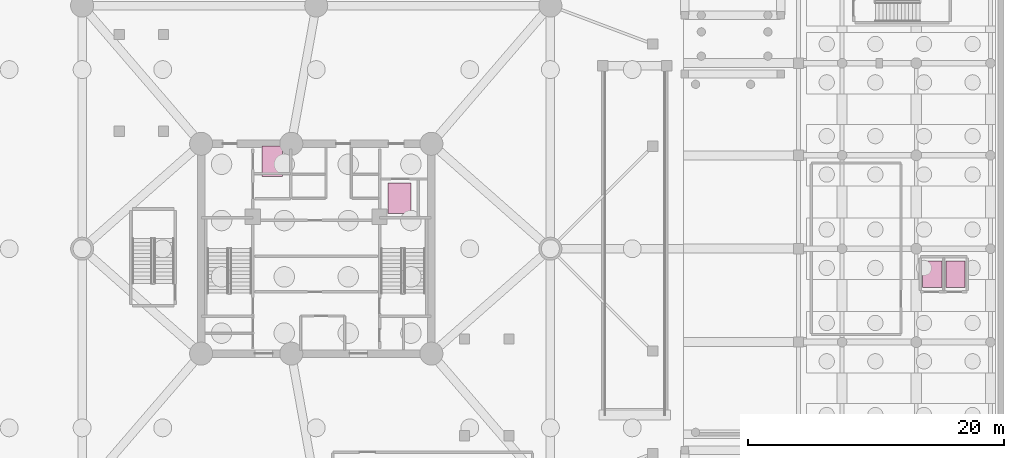
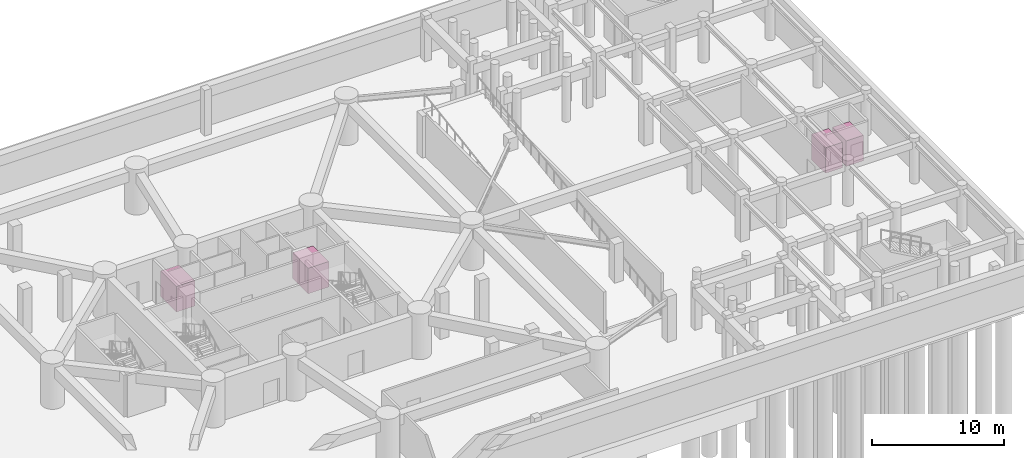
# One storey, part 13 of 13: 4 transport elements.
"""IFC4 building model written with IfcOpenShell, lengths in metres."""

from ifc_helpers import new_model, si_unit, direction, frame, origin, origin_with_axes, origin_2d, place, context, subcontext, project, spatial, rectangle, extrude, source, transform, mapped, material, type_object, element, save


model = new_model("IFC4")

# Units and contexts
model_context = context("Model", 3, precision=1e-05, world=origin(), true_north=direction((0.0, 1.0)))
body_context = subcontext(model_context, "Body", "Model", "MODEL_VIEW")
ifc_project = project(units=[si_unit("LENGTHUNIT", "METRE"), si_unit("AREAUNIT", "SQUARE_METRE"), si_unit("VOLUMEUNIT", "CUBIC_METRE"), si_unit("PLANEANGLEUNIT", "RADIAN"), si_unit("MASSUNIT", "GRAM", prefix="KILO")], contexts=[model_context])

# Site, building, storey
site_placement = place(None, origin())
site = spatial("IfcSite", under=ifc_project, at=site_placement, CompositionType="ELEMENT")
building_placement = place(site_placement, origin())
building = spatial("IfcBuilding", under=site, at=building_placement, Name="Karkom Vertical University and Central Library", CompositionType="ELEMENT")
storey_placement = place(building_placement, frame((0.0, 0.0, -8.39990234375)))
storey = spatial("IfcBuildingStorey", under=building, at=storey_placement, Name="B02", CompositionType="ELEMENT", Elevation=-8.39990234375)

# Transport elements
ifc_material = material(Name="Stainless-steel cab & traction gear", Category="steel")
transport_element_type_1 = type_object("IfcTransportElementType", Name="INT-LFT-FFL2000", PredefinedType="ELEVATOR", material=ifc_material)
shared_shape_1 = source(origin_with_axes(), body_context, "Body", "SweptSolid", [
    extrude(rectangle(XDim=1.60009765625, YDim=2.39990234375, at=origin_2d()), origin(), (0.0, 0.0, 1.0), 2.35009765625),
])
transport_element_1_placement = place(storey_placement, frame((25.074951171875, 33.340087890625, -0.000244140625), z_axis=(0.0, 0.0, 1.0), x_axis=(1.0, 0.0, 0.0)))
element("IfcTransportElement", 1, at=transport_element_1_placement, inside=storey, type_object=transport_element_type_1, Name="Firefighting Lift FFL-2", PredefinedType="ELEVATOR", context=body_context, shape_type="MappedRepresentation", body=[
    mapped(shared_shape_1, transform((0.0, 0.0, 0.0), scale=1.0)),
])
transport_element_type_2 = type_object("IfcTransportElementType", Name="INT-LFT-SVL2500", PredefinedType="ELEVATOR", material=ifc_material)
shared_shape_2 = source(origin_with_axes(), body_context, "Body", "SweptSolid", [
    extrude(rectangle(XDim=1.800048828125, YDim=2.39990234375, at=origin_2d()), origin(), (0.0, 0.0, 1.0), 2.35009765625),
])
transport_element_2_placement = place(storey_placement, frame((35.0, 30.449951171875, -0.000244140625), z_axis=(0.0, 0.0, 1.0), x_axis=(1.0, 0.0, 0.0)))
element("IfcTransportElement", 2, at=transport_element_2_placement, inside=storey, type_object=transport_element_type_2, Name="Service Goods Lift SVL-1", PredefinedType="ELEVATOR", context=body_context, shape_type="MappedRepresentation", body=[
    mapped(shared_shape_2, transform((0.0, 0.0, 0.0), scale=1.0)),
])
transport_element_type_3 = type_object("IfcTransportElementType", Name="INT-LFT-LIB1350", PredefinedType="ELEVATOR", material=ifc_material)
shared_shape_3 = source(origin_with_axes(), body_context, "Body", "SweptSolid", [
    extrude(rectangle(XDim=1.5, YDim=2.10009765625, at=origin_2d()), origin(), (0.0, 0.0, 1.0), 2.35009765625),
])
for number, where, z_axis, x_axis, name in (
    (3, (76.639892578125, 24.5, -0.000244140625), (0.0, 0.0, 1.0), (1.0, 0.0, 0.0), "Library Passenger Lift LIB-L1"),
    (4, (78.4599609375, 24.5, -0.000244140625), (0.0, 0.0, 1.0), (1.0, 0.0, 0.0), "Library Passenger Lift LIB-L2"),
):
    element("IfcTransportElement", number, at=place(storey_placement, frame(where, z_axis=z_axis, x_axis=x_axis)), inside=storey, type_object=transport_element_type_3, Name=name, PredefinedType="ELEVATOR", context=body_context, shape_type="MappedRepresentation", body=[
        mapped(shared_shape_3, transform((0.0, 0.0, 0.0), scale=1.0)),
    ])

save(model, "model.ifc")
